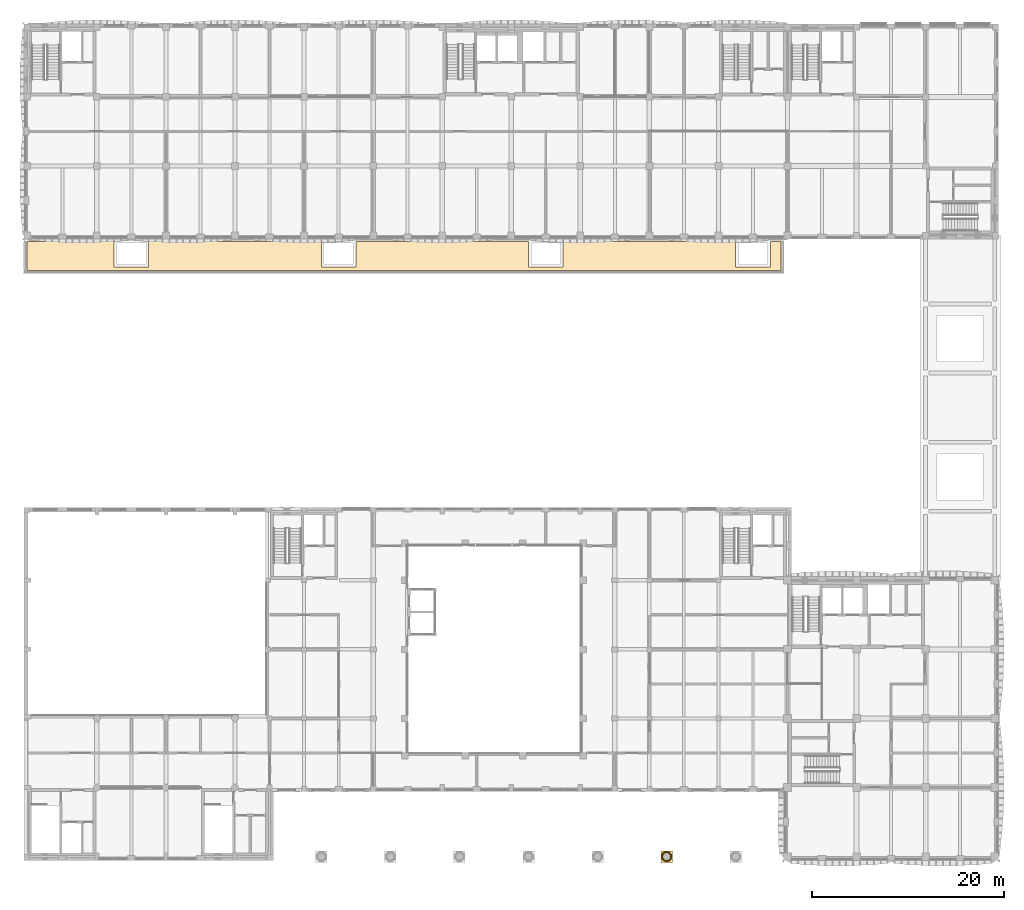
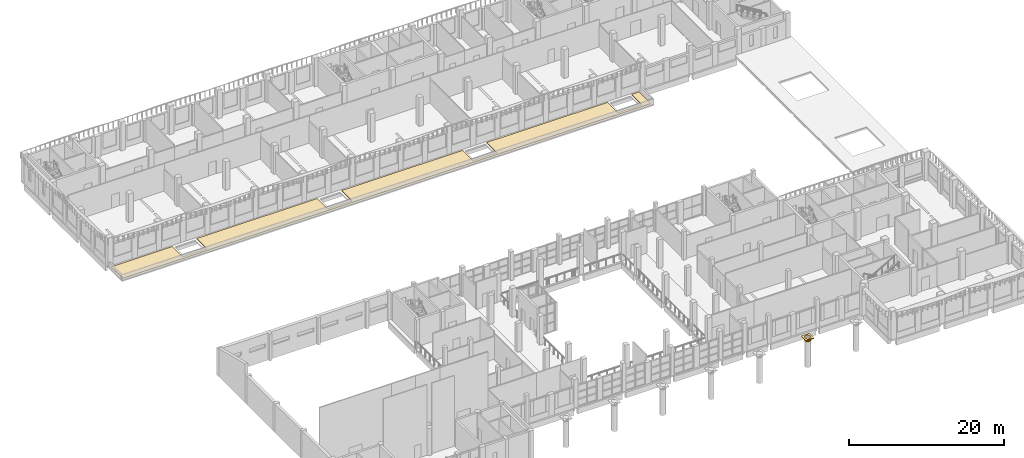
# One storey, part 38 of 59: 5 coverings.
"""IFC4 building model written with IfcOpenShell, lengths in metres."""

from ifc_helpers import new_model, si_unit, direction, frame, origin, place, context, subcontext, project, spatial, polyline, outline, extrude, material, layer, layer_set, type_object, element, save


model = new_model("IFC4")

# Units and contexts
model_context = context("Model", 3, precision=1e-05, world=origin(), true_north=direction((0.0, 1.0)))
body_context = subcontext(model_context, "Body", "Model", "MODEL_VIEW")
ifc_project = project(units=[si_unit("LENGTHUNIT", "METRE"), si_unit("AREAUNIT", "SQUARE_METRE"), si_unit("VOLUMEUNIT", "CUBIC_METRE"), si_unit("PLANEANGLEUNIT", "RADIAN"), si_unit("MASSUNIT", "GRAM", prefix="KILO")], contexts=[model_context])

# Site, building, storey
site_placement = place(None, origin())
site = spatial("IfcSite", under=ifc_project, at=site_placement, CompositionType="ELEMENT")
building_placement = place(site_placement, origin())
building = spatial("IfcBuilding", under=site, at=building_placement, Name="Ussher Court Research Institute", CompositionType="ELEMENT")
storey_placement = place(building_placement, frame((0.0, 0.0, 5.39990234375)))
storey = spatial("IfcBuildingStorey", under=building, at=storey_placement, Name="L01", CompositionType="ELEMENT", Elevation=5.39990234375)

# Coverings
ifc_material_1 = material(Name="Limestone cornice", Category="masonry")
covering_type_1 = type_object("IfcCoveringType", Name="Column abacus 800 1200x120", PredefinedType="CLADDING", material=ifc_material_1)
covering_1_placement = place(storey_placement, frame((0.0, 0.0, 4.420166015625)))
element("IfcCovering", 1, at=covering_1_placement, inside=storey, type_object=covering_type_1, Name="Column capital CC19", PredefinedType="CLADDING", context=body_context, shape_type="SweptSolid", body=[
    extrude(outline(polyline([(70.199951171875, 3.39990234375), (70.199951171875, 4.60009765625), (69.0, 4.60009765625), (69.0, 3.39990234375), (70.199951171875, 3.39990234375)]), holes=[polyline([(70.0009765625, 4.0), (69.997314453125, 4.05224609375), (69.9873046875, 4.103759765625), (69.97021484375, 4.1533203125), (69.947265625, 4.200439453125), (69.91796875, 4.243896484375), (69.88330078125, 4.283447265625), (69.843994140625, 4.318115234375), (69.80029296875, 4.34716796875), (69.75341796875, 4.370361328125), (69.70361328125, 4.38720703125), (69.65234375, 4.3974609375), (69.60009765625, 4.40087890625), (69.547607421875, 4.3974609375), (69.496337890625, 4.38720703125), (69.446533203125, 4.370361328125), (69.399658203125, 4.34716796875), (69.35595703125, 4.318115234375), (69.316650390625, 4.283447265625), (69.281982421875, 4.243896484375), (69.252685546875, 4.200439453125), (69.229736328125, 4.1533203125), (69.212890625, 4.103759765625), (69.20263671875, 4.05224609375), (69.19921875, 4.0), (69.20263671875, 3.94775390625), (69.212890625, 3.896240234375), (69.229736328125, 3.8466796875), (69.252685546875, 3.799560546875), (69.281982421875, 3.756103515625), (69.316650390625, 3.716552734375), (69.35595703125, 3.681884765625), (69.399658203125, 3.65283203125), (69.446533203125, 3.629638671875), (69.496337890625, 3.61279296875), (69.547607421875, 3.6025390625), (69.60009765625, 3.59912109375), (69.65234375, 3.6025390625), (69.70361328125, 3.61279296875), (69.75341796875, 3.629638671875), (69.80029296875, 3.65283203125), (69.843994140625, 3.681884765625), (69.88330078125, 3.716552734375), (69.91796875, 3.756103515625), (69.947265625, 3.799560546875), (69.97021484375, 3.8466796875), (69.9873046875, 3.896240234375), (69.997314453125, 3.94775390625), (70.0009765625, 4.0)])]), origin(), (0.0, 0.0, 1.0), 0.119873046875),
])
ifc_material_2 = material(Name="Limestone cornice", Category="masonry")
covering_type_2 = type_object("IfcCoveringType", Name="Column capital echinus 800 1000x100", PredefinedType="CLADDING", material=ifc_material_2)
covering_2_placement = place(storey_placement, frame((0.0, 0.0, 4.22021484375)))
element("IfcCovering", 2, at=covering_2_placement, inside=storey, type_object=covering_type_2, Name="Column capital CC17", PredefinedType="CLADDING", context=body_context, shape_type="SweptSolid", body=[
    extrude(outline(polyline([(70.10009765625, 4.0), (70.095703125, 4.065185546875), (70.0830078125, 4.12939453125), (70.06201171875, 4.19140625), (70.032958984375, 4.25), (69.99658203125, 4.304443359375), (69.95361328125, 4.353515625), (69.904296875, 4.396728515625), (69.85009765625, 4.43310546875), (69.791259765625, 4.4619140625), (69.7294921875, 4.48291015625), (69.665283203125, 4.49560546875), (69.60009765625, 4.5), (69.53466796875, 4.49560546875), (69.470703125, 4.48291015625), (69.40869140625, 4.4619140625), (69.35009765625, 4.43310546875), (69.295654296875, 4.396728515625), (69.246337890625, 4.353515625), (69.203369140625, 4.304443359375), (69.1669921875, 4.25), (69.13818359375, 4.19140625), (69.116943359375, 4.12939453125), (69.104248046875, 4.065185546875), (69.10009765625, 4.0), (69.104248046875, 3.934814453125), (69.116943359375, 3.87060546875), (69.13818359375, 3.80859375), (69.1669921875, 3.75), (69.203369140625, 3.695556640625), (69.246337890625, 3.646484375), (69.295654296875, 3.603271484375), (69.35009765625, 3.56689453125), (69.40869140625, 3.5380859375), (69.470703125, 3.51708984375), (69.53466796875, 3.50439453125), (69.60009765625, 3.5), (69.665283203125, 3.50439453125), (69.7294921875, 3.51708984375), (69.791259765625, 3.5380859375), (69.85009765625, 3.56689453125), (69.904296875, 3.603271484375), (69.95361328125, 3.646484375), (69.99658203125, 3.695556640625), (70.032958984375, 3.75), (70.06201171875, 3.80859375), (70.0830078125, 3.87060546875), (70.095703125, 3.934814453125), (70.10009765625, 4.0)]), holes=[polyline([(70.0009765625, 4.0), (69.997314453125, 4.05224609375), (69.9873046875, 4.103759765625), (69.97021484375, 4.1533203125), (69.947265625, 4.200439453125), (69.91796875, 4.243896484375), (69.88330078125, 4.283447265625), (69.843994140625, 4.318115234375), (69.80029296875, 4.34716796875), (69.75341796875, 4.370361328125), (69.70361328125, 4.38720703125), (69.65234375, 4.3974609375), (69.60009765625, 4.40087890625), (69.547607421875, 4.3974609375), (69.496337890625, 4.38720703125), (69.446533203125, 4.370361328125), (69.399658203125, 4.34716796875), (69.35595703125, 4.318115234375), (69.316650390625, 4.283447265625), (69.281982421875, 4.243896484375), (69.252685546875, 4.200439453125), (69.229736328125, 4.1533203125), (69.212890625, 4.103759765625), (69.20263671875, 4.05224609375), (69.19921875, 4.0), (69.20263671875, 3.94775390625), (69.212890625, 3.896240234375), (69.229736328125, 3.8466796875), (69.252685546875, 3.799560546875), (69.281982421875, 3.756103515625), (69.316650390625, 3.716552734375), (69.35595703125, 3.681884765625), (69.399658203125, 3.65283203125), (69.446533203125, 3.629638671875), (69.496337890625, 3.61279296875), (69.547607421875, 3.6025390625), (69.60009765625, 3.59912109375), (69.65234375, 3.6025390625), (69.70361328125, 3.61279296875), (69.75341796875, 3.629638671875), (69.80029296875, 3.65283203125), (69.843994140625, 3.681884765625), (69.88330078125, 3.716552734375), (69.91796875, 3.756103515625), (69.947265625, 3.799560546875), (69.97021484375, 3.8466796875), (69.9873046875, 3.896240234375), (69.997314453125, 3.94775390625), (70.0009765625, 4.0)])]), origin(), (0.0, 0.0, 1.0), 0.099853515625),
])
ifc_material_3 = material(Name="Limestone cornice", Category="masonry")
covering_type_3 = type_object("IfcCoveringType", Name="Column capital neck 800 896x100", PredefinedType="CLADDING", material=ifc_material_3)
covering_3_placement = place(storey_placement, frame((0.0, 0.0, 4.1201171875)))
element("IfcCovering", 3, at=covering_3_placement, inside=storey, type_object=covering_type_3, Name="Column capital CC16", PredefinedType="CLADDING", context=body_context, shape_type="SweptSolid", body=[
    extrude(outline(polyline([(70.048095703125, 4.0), (70.044189453125, 4.05859375), (70.03271484375, 4.115966796875), (70.013916015625, 4.17138671875), (69.988037109375, 4.22412109375), (69.955322265625, 4.272705078125), (69.916748046875, 4.31689453125), (69.872802734375, 4.35546875), (69.823974609375, 4.387939453125), (69.771484375, 4.413818359375), (69.716064453125, 4.4326171875), (69.658447265625, 4.444091796875), (69.60009765625, 4.447998046875), (69.54150390625, 4.444091796875), (69.48388671875, 4.4326171875), (69.4287109375, 4.413818359375), (69.3759765625, 4.387939453125), (69.327392578125, 4.35546875), (69.283203125, 4.31689453125), (69.24462890625, 4.272705078125), (69.2119140625, 4.22412109375), (69.18603515625, 4.17138671875), (69.167236328125, 4.115966796875), (69.15576171875, 4.05859375), (69.152099609375, 4.0), (69.15576171875, 3.94140625), (69.167236328125, 3.884033203125), (69.18603515625, 3.82861328125), (69.2119140625, 3.77587890625), (69.24462890625, 3.727294921875), (69.283203125, 3.68310546875), (69.327392578125, 3.64453125), (69.3759765625, 3.612060546875), (69.4287109375, 3.586181640625), (69.48388671875, 3.5673828125), (69.54150390625, 3.555908203125), (69.60009765625, 3.552001953125), (69.658447265625, 3.555908203125), (69.716064453125, 3.5673828125), (69.771484375, 3.586181640625), (69.823974609375, 3.612060546875), (69.872802734375, 3.64453125), (69.916748046875, 3.68310546875), (69.955322265625, 3.727294921875), (69.988037109375, 3.77587890625), (70.013916015625, 3.82861328125), (70.03271484375, 3.884033203125), (70.044189453125, 3.94140625), (70.048095703125, 4.0)]), holes=[polyline([(70.0009765625, 4.0), (69.997314453125, 4.05224609375), (69.9873046875, 4.103759765625), (69.97021484375, 4.1533203125), (69.947265625, 4.200439453125), (69.91796875, 4.243896484375), (69.88330078125, 4.283447265625), (69.843994140625, 4.318115234375), (69.80029296875, 4.34716796875), (69.75341796875, 4.370361328125), (69.70361328125, 4.38720703125), (69.65234375, 4.3974609375), (69.60009765625, 4.40087890625), (69.547607421875, 4.3974609375), (69.496337890625, 4.38720703125), (69.446533203125, 4.370361328125), (69.399658203125, 4.34716796875), (69.35595703125, 4.318115234375), (69.316650390625, 4.283447265625), (69.281982421875, 4.243896484375), (69.252685546875, 4.200439453125), (69.229736328125, 4.1533203125), (69.212890625, 4.103759765625), (69.20263671875, 4.05224609375), (69.19921875, 4.0), (69.20263671875, 3.94775390625), (69.212890625, 3.896240234375), (69.229736328125, 3.8466796875), (69.252685546875, 3.799560546875), (69.281982421875, 3.756103515625), (69.316650390625, 3.716552734375), (69.35595703125, 3.681884765625), (69.399658203125, 3.65283203125), (69.446533203125, 3.629638671875), (69.496337890625, 3.61279296875), (69.547607421875, 3.6025390625), (69.60009765625, 3.59912109375), (69.65234375, 3.6025390625), (69.70361328125, 3.61279296875), (69.75341796875, 3.629638671875), (69.80029296875, 3.65283203125), (69.843994140625, 3.681884765625), (69.88330078125, 3.716552734375), (69.91796875, 3.756103515625), (69.947265625, 3.799560546875), (69.97021484375, 3.8466796875), (69.9873046875, 3.896240234375), (69.997314453125, 3.94775390625), (70.0009765625, 4.0)])]), origin(), (0.0, 0.0, 1.0), 0.10009765625),
])
ifc_material_4 = material(Name="Limestone cornice", Category="masonry")
covering_type_4 = type_object("IfcCoveringType", Name="Column capital ovolo 800 1088x100", PredefinedType="CLADDING", material=ifc_material_4)
covering_4_placement = place(storey_placement, frame((0.0, 0.0, 4.320068359375)))
element("IfcCovering", 4, at=covering_4_placement, inside=storey, type_object=covering_type_4, Name="Column capital CC18", PredefinedType="CLADDING", context=body_context, shape_type="SweptSolid", body=[
    extrude(outline(polyline([(70.14404296875, 4.0), (70.139404296875, 4.071044921875), (70.12548828125, 4.140869140625), (70.1025390625, 4.208251953125), (70.071044921875, 4.27197265625), (70.031494140625, 4.331298828125), (69.984619140625, 4.384765625), (69.93115234375, 4.431640625), (69.8720703125, 4.47119140625), (69.80810546875, 4.502685546875), (69.74072265625, 4.525390625), (69.6708984375, 4.539306640625), (69.60009765625, 4.5439453125), (69.529052734375, 4.539306640625), (69.459228515625, 4.525390625), (69.391845703125, 4.502685546875), (69.327880859375, 4.47119140625), (69.268798828125, 4.431640625), (69.21533203125, 4.384765625), (69.16845703125, 4.331298828125), (69.12890625, 4.27197265625), (69.097412109375, 4.208251953125), (69.074462890625, 4.140869140625), (69.060791015625, 4.071044921875), (69.055908203125, 4.0), (69.060791015625, 3.928955078125), (69.074462890625, 3.859130859375), (69.097412109375, 3.791748046875), (69.12890625, 3.72802734375), (69.16845703125, 3.668701171875), (69.21533203125, 3.615234375), (69.268798828125, 3.568359375), (69.327880859375, 3.52880859375), (69.391845703125, 3.497314453125), (69.459228515625, 3.474609375), (69.529052734375, 3.460693359375), (69.60009765625, 3.4560546875), (69.6708984375, 3.460693359375), (69.74072265625, 3.474609375), (69.80810546875, 3.497314453125), (69.8720703125, 3.52880859375), (69.93115234375, 3.568359375), (69.984619140625, 3.615234375), (70.031494140625, 3.668701171875), (70.071044921875, 3.72802734375), (70.1025390625, 3.791748046875), (70.12548828125, 3.859130859375), (70.139404296875, 3.928955078125), (70.14404296875, 4.0)]), holes=[polyline([(70.0009765625, 4.0), (69.997314453125, 4.05224609375), (69.9873046875, 4.103759765625), (69.97021484375, 4.1533203125), (69.947265625, 4.200439453125), (69.91796875, 4.243896484375), (69.88330078125, 4.283447265625), (69.843994140625, 4.318115234375), (69.80029296875, 4.34716796875), (69.75341796875, 4.370361328125), (69.70361328125, 4.38720703125), (69.65234375, 4.3974609375), (69.60009765625, 4.40087890625), (69.547607421875, 4.3974609375), (69.496337890625, 4.38720703125), (69.446533203125, 4.370361328125), (69.399658203125, 4.34716796875), (69.35595703125, 4.318115234375), (69.316650390625, 4.283447265625), (69.281982421875, 4.243896484375), (69.252685546875, 4.200439453125), (69.229736328125, 4.1533203125), (69.212890625, 4.103759765625), (69.20263671875, 4.05224609375), (69.19921875, 4.0), (69.20263671875, 3.94775390625), (69.212890625, 3.896240234375), (69.229736328125, 3.8466796875), (69.252685546875, 3.799560546875), (69.281982421875, 3.756103515625), (69.316650390625, 3.716552734375), (69.35595703125, 3.681884765625), (69.399658203125, 3.65283203125), (69.446533203125, 3.629638671875), (69.496337890625, 3.61279296875), (69.547607421875, 3.6025390625), (69.60009765625, 3.59912109375), (69.65234375, 3.6025390625), (69.70361328125, 3.61279296875), (69.75341796875, 3.629638671875), (69.80029296875, 3.65283203125), (69.843994140625, 3.681884765625), (69.88330078125, 3.716552734375), (69.91796875, 3.756103515625), (69.947265625, 3.799560546875), (69.97021484375, 3.8466796875), (69.9873046875, 3.896240234375), (69.997314453125, 3.94775390625), (70.0009765625, 4.0)])]), origin(), (0.0, 0.0, 1.0), 0.10009765625),
])
ifc_material_5 = material(Name="Bituminous membrane with gravel ballast")
ifc_layer = layer(ifc_material_5, 0.080078125)
ifc_layer_set = layer_set([ifc_layer], Name="Bituminous membrane with gravel ballast")
covering_type_5 = type_object("IfcCoveringType", Name="Flat roof membrane and ballast 80", PredefinedType="ROOFING", material=ifc_layer_set)
covering_5_placement = place(storey_placement, origin())
element("IfcCovering", 5, at=covering_5_placement, inside=storey, type_object=covering_type_5, Name="Roof covering RC3 V5C", PredefinedType="ROOFING", context=body_context, shape_type="SweptSolid", body=[
    extrude(outline(polyline([(12.0, 68.10009765625), (12.0, 65.449951171875), (15.60009765625, 65.449951171875), (15.60009765625, 68.10009765625), (33.60009765625, 68.10009765625), (33.60009765625, 65.449951171875), (37.199951171875, 65.449951171875), (37.199951171875, 68.10009765625), (55.199951171875, 68.10009765625), (55.199951171875, 65.449951171875), (58.800048828125, 65.449951171875), (58.800048828125, 68.10009765625), (76.800048828125, 68.10009765625), (76.800048828125, 65.449951171875), (80.39990234375, 65.449951171875), (80.39990234375, 68.10009765625), (81.5, 68.10009765625), (81.5, 65.10009765625), (2.89990234375, 65.10009765625), (2.89990234375, 68.10009765625), (12.0, 68.10009765625)])), origin(), (0.0, 0.0, 1.0), 0.080078125),
])

save(model, "model.ifc")
